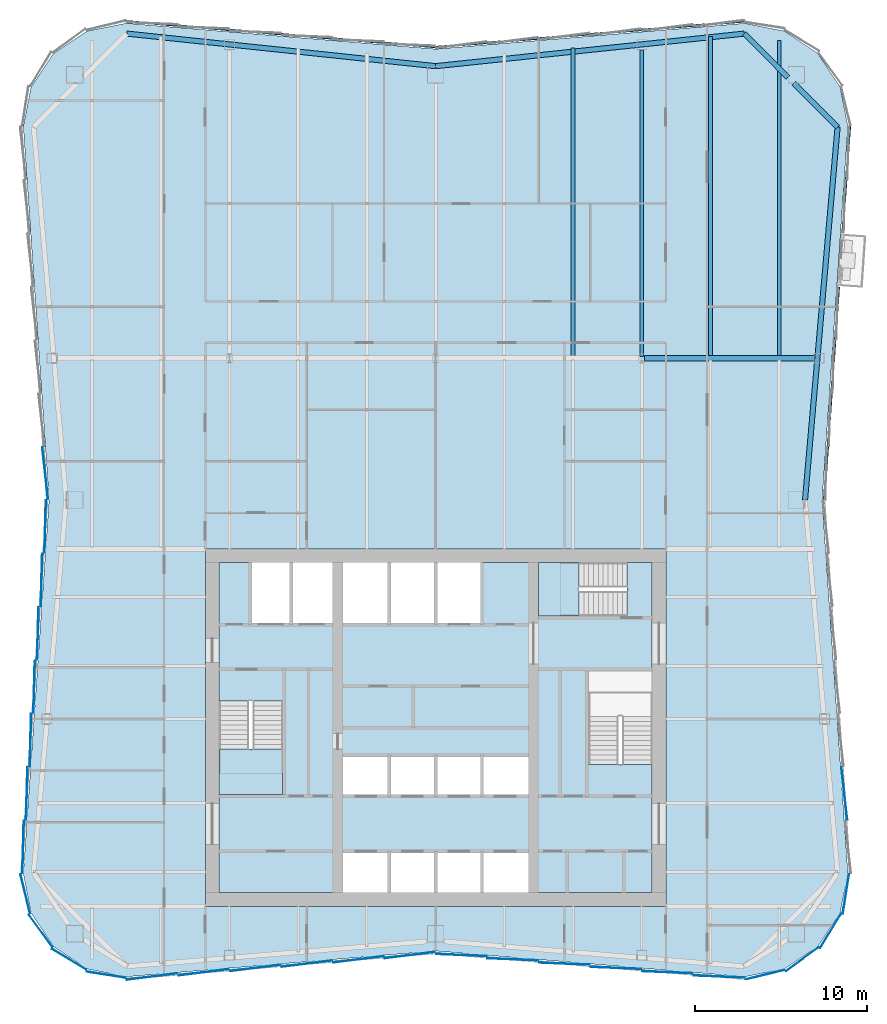
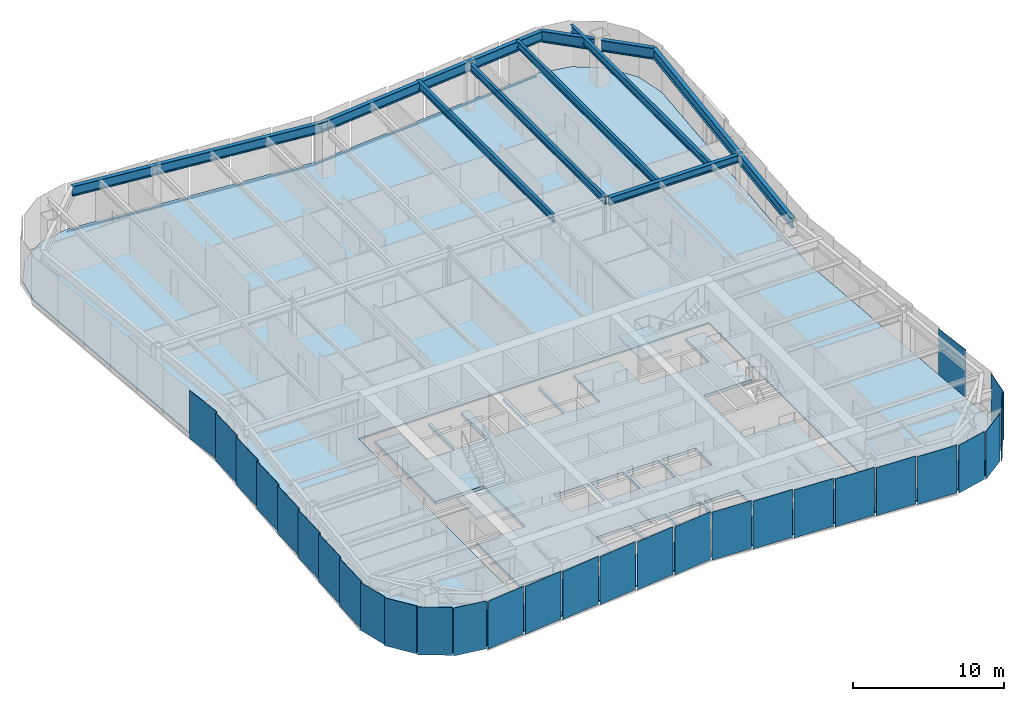
# One storey, part 4 of 11: 29 plates, 10 beams, 4 members, 4 slabs, 8 elements without a shape of their own.
"""IFC4 building model written with IfcOpenShell, lengths in metres."""

from ifc_helpers import new_model, si_unit, direction, frame, origin, origin_2d, place, context, subcontext, project, spatial, polyline, rectangle, i_section, outline, extrude, material, layer, layer_set, material_profile, profile_set, type_object, element, aggregate, save


model = new_model("IFC4")

# Units and contexts
model_context = context("Model", 3, precision=1e-05, world=origin(), true_north=direction((0.0, 1.0)))
body_context = subcontext(model_context, "Body", "Model", "MODEL_VIEW")
ifc_project = project(units=[si_unit("LENGTHUNIT", "METRE"), si_unit("AREAUNIT", "SQUARE_METRE"), si_unit("VOLUMEUNIT", "CUBIC_METRE"), si_unit("PLANEANGLEUNIT", "RADIAN"), si_unit("MASSUNIT", "GRAM", prefix="KILO")], contexts=[model_context])

# Site, building, storey
site_placement = place(None, origin())
site = spatial("IfcSite", under=ifc_project, at=site_placement, CompositionType="ELEMENT")
building_placement = place(site_placement, origin())
building = spatial("IfcBuilding", under=site, at=building_placement, Name="Verdant Reach Tower", CompositionType="ELEMENT")
storey_placement = place(building_placement, frame((0.0, 0.0, 254.0)))
storey = spatial("IfcBuildingStorey", under=building, at=storey_placement, Name="L58", CompositionType="ELEMENT", Elevation=254.0)

# Curtain wall, members
ifc_material_1 = material(Name="Anodised aluminium", Category="aluminium")
curtain_wall_type = type_object("IfcCurtainWallType", Name="EN-CW SYSTEM Z4", PredefinedType="NOTDEFINED", material=ifc_material_1)
curtain_wall_1_placement = place(storey_placement, origin())
curtain_wall_1 = element("IfcCurtainWall", 1, at=curtain_wall_1_placement, inside=storey, type_object=curtain_wall_type, Name="Curtain wall east, L58", PredefinedType="NOTDEFINED")
ifc_material_profile_1 = material_profile(ifc_material_1, rectangle(XDim=0.10009765625, YDim=0.1279296875, at=origin_2d()), Name="Transom 128x100")
ifc_profile_set_1 = profile_set([ifc_material_profile_1], Name="Anodised aluminium")
member_type = type_object("IfcMemberType", Name="EN-TRANSOM Z4", PredefinedType="USERDEFINED", material=ifc_profile_set_1)
member_1_placement = place(storey_placement, frame((22.6142578125, 41.283935546875, -0.285888671875), z_axis=(0.068831188382, 0.997628321323, 0.0), x_axis=(-0.997628321323, 0.068831188382, 0.0)))
member_1 = element("IfcMember", 2, at=member_1_placement, type_object=member_type, Name="Transom east face part 2 1.1, L58", ObjectType="TRANSOM", PredefinedType="USERDEFINED", context=body_context, shape_type="SweptSolid", body=[
    extrude(rectangle(XDim=0.10009765625, YDim=0.1279296875, at=origin_2d()), origin(), (0.0, 0.0, 1.0), 12.38232421875),
])
member_2_placement = place(storey_placement, frame((23.685546875, 56.81201171875, -0.285888671875), z_axis=(0.068628428256, 0.997642290019, 0.0), x_axis=(-0.997642290019, 0.068628428256, 0.0)))
member_2 = element("IfcMember", 3, at=member_2_placement, type_object=member_type, Name="Transom east face part 2 2.1, L58", ObjectType="TRANSOM", PredefinedType="USERDEFINED", context=body_context, shape_type="SweptSolid", body=[
    extrude(rectangle(XDim=0.10009765625, YDim=0.1279296875, at=origin_2d()), origin(), (0.0, 0.0, 1.0), 6.17578125),
])

curtain_wall_2_placement = place(storey_placement, origin())
curtain_wall_2 = element("IfcCurtainWall", 4, at=curtain_wall_2_placement, inside=storey, type_object=curtain_wall_type, Name="Curtain wall north, L58", PredefinedType="NOTDEFINED")
member_3_placement = place(storey_placement, frame((17.972412109375, 69.10888671875, -0.285888671875), z_axis=(-0.996549124771, -0.083005071637, 0.0), x_axis=(0.083005071637, -0.996549124771, 0.0)))
member_3 = element("IfcMember", 5, at=member_3_placement, type_object=member_type, Name="Transom north face part 1 1.1, L58", ObjectType="TRANSOM", PredefinedType="USERDEFINED", context=body_context, shape_type="SweptSolid", body=[
    extrude(rectangle(XDim=0.10009765625, YDim=0.1279296875, at=origin_2d()), origin(), (0.0, 0.0, 1.0), 18.00048828125),
])
member_4_placement = place(storey_placement, frame((-0.033935546875, 67.61474609375, -0.285888671875), z_axis=(-0.996549124771, 0.083005071637, 0.0), x_axis=(-0.083005071637, -0.996549124771, 0.0)))
member_4 = element("IfcMember", 6, at=member_4_placement, type_object=member_type, Name="Transom north face part 2 1.1, L58", ObjectType="TRANSOM", PredefinedType="USERDEFINED", context=body_context, shape_type="SweptSolid", body=[
    extrude(rectangle(XDim=0.10009765625, YDim=0.1279296875, at=origin_2d()), origin(), (0.0, 0.0, 1.0), 18.00048828125),
])
aggregate(curtain_wall_2, [member_3, member_4])

# Beams
ifc_material_2 = material(Name="Steel S355", Category="steel")
ifc_material_profile_2 = material_profile(ifc_material_2, i_section(OverallWidth=0.300048828125, OverallDepth=0.60009765625, WebThickness=0.015380859375, FlangeThickness=0.030029296875, FilletRadius=0.027099609375, at=origin_2d()), Name="HEB 600")
ifc_profile_set_2 = profile_set([ifc_material_profile_2], Name="Steel S355")
beam_type_1 = type_object("IfcBeamType", Name="ST-BEAM-HEB600", PredefinedType="BEAM", material=ifc_profile_set_2)
beam_1_placement = place(storey_placement, frame((12.153076171875, 49.5, 3.570068359375), z_axis=(1.0, 0.0, 0.0), x_axis=(0.0, 1.0, 0.0)))
element("IfcBeam", 7, at=beam_1_placement, inside=storey, type_object=beam_type_1, Name="Row girder, L58", PredefinedType="BEAM", context=body_context, shape_type="SweptSolid", body=[
    extrude(i_section(OverallWidth=0.300048828125, OverallDepth=0.60009765625, WebThickness=0.015380859375, FlangeThickness=0.030029296875, FilletRadius=0.027099609375, at=origin_2d()), origin(), (0.0, 0.0, 1.0), 9.865966796875),
])
ifc_material_profile_3 = material_profile(ifc_material_2, i_section(OverallWidth=0.219970703125, OverallDepth=0.60009765625, WebThickness=0.011962890625, FlangeThickness=0.01904296875, FilletRadius=0.02392578125, at=origin_2d()), Name="IPE 600")
ifc_profile_set_3 = profile_set([ifc_material_profile_3], Name="Steel S355")
beam_type_2 = type_object("IfcBeamType", Name="ST-JOIST-IPE600", PredefinedType="JOIST", material=ifc_profile_set_3)
beam_2_placement = place(storey_placement, frame((8.0, 49.60009765625, 3.570068359375), z_axis=(0.0, 1.0, 0.0), x_axis=(-1.0, 0.0, 0.0)))
element("IfcBeam", 8, at=beam_2_placement, inside=storey, type_object=beam_type_2, Name="Floor joist, L58", PredefinedType="JOIST", context=body_context, shape_type="SweptSolid", body=[
    extrude(i_section(OverallWidth=0.219970703125, OverallDepth=0.60009765625, WebThickness=0.011962890625, FlangeThickness=0.01904296875, FilletRadius=0.02392578125, at=origin_2d()), origin(), (0.0, 0.0, 1.0), 17.964599609375),
])
beam_3_placement = place(storey_placement, frame((12.0, 49.60009765625, 3.570068359375), z_axis=(0.0, 1.0, 0.0), x_axis=(-1.0, 0.0, 0.0)))
element("IfcBeam", 9, at=beam_3_placement, inside=storey, type_object=beam_type_2, Name="Floor joist, L58", PredefinedType="JOIST", context=body_context, shape_type="SweptSolid", body=[
    extrude(i_section(OverallWidth=0.219970703125, OverallDepth=0.60009765625, WebThickness=0.011962890625, FlangeThickness=0.01904296875, FilletRadius=0.02392578125, at=origin_2d()), origin(), (0.0, 0.0, 1.0), 17.849853515625),
])
beam_4_placement = place(storey_placement, frame((16.0, 49.60009765625, 3.570068359375), z_axis=(0.0, 1.0, 0.0), x_axis=(-1.0, 0.0, 0.0)))
element("IfcBeam", 10, at=beam_4_placement, inside=storey, type_object=beam_type_2, Name="Floor joist, L58", PredefinedType="JOIST", context=body_context, shape_type="SweptSolid", body=[
    extrude(i_section(OverallWidth=0.219970703125, OverallDepth=0.60009765625, WebThickness=0.011962890625, FlangeThickness=0.01904296875, FilletRadius=0.02392578125, at=origin_2d()), origin(), (0.0, 0.0, 1.0), 18.631103515625),
])
beam_5_placement = place(storey_placement, frame((20.0, 49.60009765625, 3.570068359375), z_axis=(0.0, 1.0, 0.0), x_axis=(-1.0, 0.0, 0.0)))
element("IfcBeam", 11, at=beam_5_placement, inside=storey, type_object=beam_type_2, Name="Floor joist, L58", PredefinedType="JOIST", context=body_context, shape_type="SweptSolid", body=[
    extrude(i_section(OverallWidth=0.219970703125, OverallDepth=0.60009765625, WebThickness=0.011962890625, FlangeThickness=0.01904296875, FilletRadius=0.02392578125, at=origin_2d()), origin(), (0.0, 0.0, 1.0), 18.390380859375),
])
ifc_material_profile_4 = material_profile(ifc_material_2, i_section(OverallWidth=0.300048828125, OverallDepth=0.800048828125, WebThickness=0.017578125, FlangeThickness=0.032958984375, FilletRadius=0.030029296875, at=origin_2d()), Name="HEB 800")
ifc_profile_set_4 = profile_set([ifc_material_profile_4], Name="Steel S355")
beam_type_3 = type_object("IfcBeamType", Name="ST-SPANDREL-HEB800", PredefinedType="SPANDREL", material=ifc_profile_set_4)
for number, where, z_axis, x_axis, name in (
    (12, (-17.9658203125, 68.39501953125, 3.469970703125), (0.994483067002, -0.104897232783, 0.0), (0.104897232783, 0.994483067002, 0.0), "Edge beam, L58"),
    (13, (0.0, 66.5, 3.469970703125), (0.994483067002, 0.104897232783, 0.0), (-0.104897232783, 0.994483067002, 0.0), "Edge beam, L58"),
):
    element("IfcBeam", number, at=place(storey_placement, frame(where, z_axis=z_axis, x_axis=x_axis)), inside=storey, type_object=beam_type_3, Name=name, PredefinedType="SPANDREL", context=body_context, shape_type="SweptSolid", body=[
        extrude(i_section(OverallWidth=0.300048828125, OverallDepth=0.800048828125, WebThickness=0.017578125, FlangeThickness=0.032958984375, FilletRadius=0.030029296875, at=origin_2d()), origin(), (0.0, 0.0, 1.0), 18.0654296875),
    ])
beam_6_placement = place(storey_placement, frame((23.39599609375, 62.96142578125, 3.469970703125), z_axis=(-0.086996024331, -0.996208658741, 0.0), x_axis=(0.996208658741, -0.086996024331, 0.0)))
element("IfcBeam", 14, at=beam_6_placement, inside=storey, type_object=beam_type_3, Name="Edge beam, L58", PredefinedType="SPANDREL", context=body_context, shape_type="SweptSolid", body=[
    extrude(i_section(OverallWidth=0.300048828125, OverallDepth=0.800048828125, WebThickness=0.017578125, FlangeThickness=0.032958984375, FilletRadius=0.030029296875, at=origin_2d()), origin(), (0.0, 0.0, 1.0), 21.7939453125),
])
ifc_material_profile_5 = material_profile(ifc_material_2, i_section(OverallWidth=0.302001953125, OverallDepth=0.909912109375, WebThickness=0.02099609375, FlangeThickness=0.0400390625, FilletRadius=0.030029296875, at=origin_2d()), Name="HEM 900")
ifc_profile_set_5 = profile_set([ifc_material_profile_5], Name="Steel S355")
beam_type_4 = type_object("IfcBeamType", Name="ST-SPANDREL-HEM900", PredefinedType="SPANDREL", material=ifc_profile_set_5)
beam_7_placement = place(storey_placement, frame((17.9658203125, 68.39501953125, 3.4150390625), z_axis=(0.706868394255, -0.707345087777, 0.0), x_axis=(0.707345087777, 0.706868394255, 0.0)))
element("IfcBeam", 15, at=beam_7_placement, inside=storey, type_object=beam_type_4, Name="Edge beam, L58", PredefinedType="SPANDREL", context=body_context, shape_type="SweptSolid", body=[
    extrude(i_section(OverallWidth=0.302001953125, OverallDepth=0.909912109375, WebThickness=0.02099609375, FlangeThickness=0.0400390625, FilletRadius=0.030029296875, at=origin_2d()), origin(), (0.0, 0.0, 1.0), 3.5849609375),
])
beam_8_placement = place(storey_placement, frame((20.85888671875, 65.5, 3.4150390625), z_axis=(0.706902680526, -0.707310822952, 0.0), x_axis=(0.707310822952, 0.706902680526, 0.0)))
element("IfcBeam", 16, at=beam_8_placement, inside=storey, type_object=beam_type_4, Name="Edge beam, L58", PredefinedType="SPANDREL", context=body_context, shape_type="SweptSolid", body=[
    extrude(i_section(OverallWidth=0.302001953125, OverallDepth=0.909912109375, WebThickness=0.02099609375, FlangeThickness=0.0400390625, FilletRadius=0.030029296875, at=origin_2d()), origin(), (0.0, 0.0, 1.0), 3.589111328125),
])

# Stair, slab
ifc_material_3 = material(Name="Concrete C40/50", Category="concrete")
stair_type = type_object("IfcStairType", Name="CO-STAIR", PredefinedType="HALF_TURN_STAIR", material=ifc_material_3)
stair_1_placement = place(storey_placement, origin())
stair_1 = element("IfcStair", 17, at=stair_1_placement, inside=storey, type_object=stair_type, Name="L58 Exit stair 1", PredefinedType="HALF_TURN_STAIR")
ifc_layer_1 = layer(ifc_material_3, 0.199951171875)
ifc_layer_set_1 = layer_set([ifc_layer_1], Name="CO-STAIR-LANDING")
slab_type_1 = type_object("IfcSlabType", Name="CO-STAIR-LANDING", PredefinedType="LANDING", material=ifc_layer_set_1)
slab_1_placement = place(storey_placement, frame((0.0, 0.0, 1.800048828125)))
slab_1 = element("IfcSlab", 18, at=slab_1_placement, type_object=slab_type_1, Name="ST-1 landing 1", PredefinedType="LANDING", context=body_context, shape_type="SweptSolid", body=[
    extrude(outline(polyline([(-12.60009765625, 26.75), (-12.60009765625, 24.10009765625), (-8.89990234375, 24.10009765625), (-8.89990234375, 26.75), (-12.60009765625, 26.75)])), origin(), (0.0, 0.0, 1.0), 0.199951171875),
])
aggregate(stair_1, [slab_1])

stair_2_placement = place(storey_placement, origin())
stair_2 = element("IfcStair", 19, at=stair_2_placement, inside=storey, type_object=stair_type, Name="L58 Exit stair 3", PredefinedType="HALF_TURN_STAIR")
slab_2_placement = place(storey_placement, frame((0.0, 0.0, 1.800048828125)))
slab_2 = element("IfcSlab", 20, at=slab_2_placement, type_object=slab_type_1, Name="ST-3 landing 1", PredefinedType="LANDING", context=body_context, shape_type="SweptSolid", body=[
    extrude(outline(polyline([(8.35009765625, 37.60009765625), (6.0, 37.60009765625), (6.0, 34.5), (8.35009765625, 34.5), (8.35009765625, 37.60009765625)])), origin(), (0.0, 0.0, 1.0), 0.199951171875),
])
aggregate(stair_2, [slab_2])

# Curtain wall, plate
curtain_wall_3_placement = place(storey_placement, origin())
curtain_wall_3 = element("IfcCurtainWall", 21, at=curtain_wall_3_placement, inside=storey, type_object=curtain_wall_type, Name="Curtain wall south-east corner, L58", PredefinedType="NOTDEFINED")
ifc_material_4 = material(Name="Tinted glass with champagne spandrel", Category="glass")
ifc_layer_2 = layer(ifc_material_4, 0.031982421875)
ifc_layer_set_2 = layer_set([ifc_layer_2], Name="EN-PANEL CHAMPAGNE")
plate_type_1 = type_object("IfcPlateType", Name="EN-PANEL CHAMPAGNE", PredefinedType="CURTAIN_PANEL", material=ifc_layer_set_2)
plate_1_placement = place(storey_placement, frame((23.87939453125, 18.326904296875, -0.221923828125), z_axis=(0.0, 0.0, 1.0), x_axis=(0.154324690427, 0.988020187003, 0.0)))
plate_1 = element("IfcPlate", 22, at=plate_1_placement, type_object=plate_type_1, Name="Glass panel south-east corner 4.1, L58", PredefinedType="CURTAIN_PANEL", context=body_context, shape_type="SweptSolid", body=[
    extrude(rectangle(XDim=2.313720703125, YDim=0.031982421875, at=origin_2d()), origin(), (0.0, 0.0, 1.0), 3.8720703125),
])

# Curtain wall, plates
curtain_wall_4_placement = place(storey_placement, origin())
curtain_wall_4 = element("IfcCurtainWall", 23, at=curtain_wall_4_placement, inside=storey, type_object=curtain_wall_type, Name="Curtain wall west, L58", PredefinedType="NOTDEFINED")
plate_2_placement = place(storey_placement, frame((-22.718994140625, 42.7998046875, -0.221923828125), z_axis=(0.0, 0.0, 1.0), x_axis=(0.110603065042, -0.993864659802, 0.0)))
plate_2 = element("IfcPlate", 24, at=plate_2_placement, type_object=plate_type_1, Name="Glass panel west face part 1 7.1, L58", PredefinedType="CURTAIN_PANEL", context=body_context, shape_type="SweptSolid", body=[
    extrude(rectangle(XDim=3.042724609375, YDim=0.031982421875, at=origin_2d()), origin(), (0.0, 0.0, 1.0), 3.8720703125),
])
plate_3_placement = place(storey_placement, frame((-22.718994140625, 39.7001953125, -0.221923828125), z_axis=(0.0, 0.0, 1.0), x_axis=(-0.027050713229, -0.999634062502, 0.0)))
plate_3 = element("IfcPlate", 25, at=plate_3_placement, type_object=plate_type_1, Name="Glass panel west face part 2 1.1, L58", PredefinedType="CURTAIN_PANEL", context=body_context, shape_type="SweptSolid", body=[
    extrude(rectangle(XDim=3.042724609375, YDim=0.031982421875, at=origin_2d()), origin(), (0.0, 0.0, 1.0), 3.8720703125),
])
plate_4_placement = place(storey_placement, frame((-22.93310546875, 36.596923828125, -0.221923828125), z_axis=(0.0, 0.0, 1.0), x_axis=(-0.026965318308, -0.999636369691, 0.0)))
plate_4 = element("IfcPlate", 26, at=plate_4_placement, type_object=plate_type_1, Name="Glass panel west face part 2 2.1, L58", PredefinedType="CURTAIN_PANEL", context=body_context, shape_type="SweptSolid", body=[
    extrude(rectangle(XDim=3.050537109375, YDim=0.031982421875, at=origin_2d()), origin(), (0.0, 0.0, 1.0), 3.8720703125),
])

# Curtain wall, plate
curtain_wall_5_placement = place(storey_placement, origin())
curtain_wall_5 = element("IfcCurtainWall", 27, at=curtain_wall_5_placement, inside=storey, type_object=curtain_wall_type, Name="Curtain wall south-west corner, L58", PredefinedType="NOTDEFINED")
plate_5_placement = place(storey_placement, frame((-23.87939453125, 18.326904296875, -0.221923828125), z_axis=(0.0, 0.0, 1.0), x_axis=(0.236458850433, -0.971641503875, 0.0)))
plate_5 = element("IfcPlate", 28, at=plate_5_placement, type_object=plate_type_1, Name="Glass panel south-west corner 1.1, L58", PredefinedType="CURTAIN_PANEL", context=body_context, shape_type="SweptSolid", body=[
    extrude(rectangle(XDim=2.313720703125, YDim=0.031982421875, at=origin_2d()), origin(), (0.0, 0.0, 1.0), 3.8720703125),
])

# Curtain wall, plates
curtain_wall_6_placement = place(storey_placement, origin())
curtain_wall_6 = element("IfcCurtainWall", 29, at=curtain_wall_6_placement, inside=storey, type_object=curtain_wall_type, Name="Curtain wall south, L58", PredefinedType="NOTDEFINED")
plate_6_placement = place(storey_placement, frame((-7.49072265625, 14.263427734375, -0.221923828125), z_axis=(0.0, 0.0, 1.0), x_axis=(0.992194034542, 0.124703639961, 0.0)))
plate_6 = element("IfcPlate", 30, at=plate_6_placement, type_object=plate_type_1, Name="Glass panel south face part 1 4.1, L58", PredefinedType="CURTAIN_PANEL", context=body_context, shape_type="SweptSolid", body=[
    extrude(rectangle(XDim=2.9462890625, YDim=0.031982421875, at=origin_2d()), origin(), (0.0, 0.0, 1.0), 3.8720703125),
])
plate_7_placement = place(storey_placement, frame((-4.49072265625, 14.513427734375, -0.221923828125), z_axis=(0.0, 0.0, 1.0), x_axis=(0.992194034542, 0.124703639961, 0.0)))
plate_7 = element("IfcPlate", 31, at=plate_7_placement, type_object=plate_type_1, Name="Glass panel south face part 1 5.1, L58", PredefinedType="CURTAIN_PANEL", context=body_context, shape_type="SweptSolid", body=[
    extrude(rectangle(XDim=2.9462890625, YDim=0.031982421875, at=origin_2d()), origin(), (0.0, 0.0, 1.0), 3.8720703125),
])
plate_8_placement = place(storey_placement, frame((-1.495361328125, 14.76318359375, -0.221923828125), z_axis=(0.0, 0.0, 1.0), x_axis=(0.992177950603, 0.124831543836, 0.0)))
plate_8 = element("IfcPlate", 32, at=plate_8_placement, type_object=plate_type_1, Name="Glass panel south face part 1 6.1, L58", PredefinedType="CURTAIN_PANEL", context=body_context, shape_type="SweptSolid", body=[
    extrude(rectangle(XDim=2.93701171875, YDim=0.031982421875, at=origin_2d()), origin(), (0.0, 0.0, 1.0), 3.8720703125),
])
plate_9_placement = place(storey_placement, frame((16.49853515625, 13.51318359375, -0.221923828125), z_axis=(0.0, 0.0, 1.0), x_axis=(0.999164016711, -0.040881141246, 0.0)))
plate_9 = element("IfcPlate", 33, at=plate_9_placement, type_object=plate_type_1, Name="Glass panel south face part 2 6.1, L58", PredefinedType="CURTAIN_PANEL", context=body_context, shape_type="SweptSolid", body=[
    extrude(rectangle(XDim=2.9619140625, YDim=0.031982421875, at=origin_2d()), origin(), (0.0, 0.0, 1.0), 3.8720703125),
])

# Plate
ifc_material_5 = material(Name="Tinted glass with copper spandrel", Category="glass")
ifc_layer_3 = layer(ifc_material_5, 0.031982421875)
ifc_layer_set_3 = layer_set([ifc_layer_3], Name="EN-PANEL COPPER")
plate_type_2 = type_object("IfcPlateType", Name="EN-PANEL COPPER", PredefinedType="CURTAIN_PANEL", material=ifc_layer_set_3)
plate_10_placement = place(storey_placement, frame((19.172607421875, 13.62060546875, -0.221923828125), z_axis=(0.0, 0.0, 1.0), x_axis=(0.971652337104, 0.236414330786, 0.0)))
plate_10 = element("IfcPlate", 34, at=plate_10_placement, type_object=plate_type_2, Name="Glass panel south-east corner 1.1, L58", PredefinedType="CURTAIN_PANEL", context=body_context, shape_type="SweptSolid", body=[
    extrude(rectangle(XDim=2.314453125, YDim=0.031982421875, at=origin_2d()), origin(), (0.0, 0.0, 1.0), 3.8720703125),
])

plate_11_placement = place(storey_placement, frame((-23.1474609375, 33.48974609375, -0.221923828125), z_axis=(0.0, 0.0, 1.0), x_axis=(-0.026965318308, -0.999636369691, 0.0)))
plate_11 = element("IfcPlate", 35, at=plate_11_placement, type_object=plate_type_2, Name="Glass panel west face part 2 3.1, L58", PredefinedType="CURTAIN_PANEL", context=body_context, shape_type="SweptSolid", body=[
    extrude(rectangle(XDim=3.050537109375, YDim=0.031982421875, at=origin_2d()), origin(), (0.0, 0.0, 1.0), 3.8720703125),
])

plate_12_placement = place(storey_placement, frame((-23.36181640625, 30.3828125, -0.221923828125), z_axis=(0.0, 0.0, 1.0), x_axis=(-0.026965318308, -0.999636369691, 0.0)))
plate_12 = element("IfcPlate", 36, at=plate_12_placement, type_object=plate_type_2, Name="Glass panel west face part 2 4.1, L58", PredefinedType="CURTAIN_PANEL", context=body_context, shape_type="SweptSolid", body=[
    extrude(rectangle(XDim=3.050537109375, YDim=0.031982421875, at=origin_2d()), origin(), (0.0, 0.0, 1.0), 3.8720703125),
])

plate_13_placement = place(storey_placement, frame((-23.575927734375, 27.275634765625, -0.221923828125), z_axis=(0.0, 0.0, 1.0), x_axis=(-0.026965318308, -0.999636369691, 0.0)))
plate_13 = element("IfcPlate", 37, at=plate_13_placement, type_object=plate_type_2, Name="Glass panel west face part 2 5.1, L58", PredefinedType="CURTAIN_PANEL", context=body_context, shape_type="SweptSolid", body=[
    extrude(rectangle(XDim=3.050537109375, YDim=0.031982421875, at=origin_2d()), origin(), (0.0, 0.0, 1.0), 3.8720703125),
])

plate_14_placement = place(storey_placement, frame((-22.984375, 16.169677734375, -0.221923828125), z_axis=(0.0, 0.0, 1.0), x_axis=(0.589926737254, -0.80745677573, 0.0)))
plate_14 = element("IfcPlate", 38, at=plate_14_placement, type_object=plate_type_2, Name="Glass panel south-west corner 2.1, L58", PredefinedType="CURTAIN_PANEL", context=body_context, shape_type="SweptSolid", body=[
    extrude(rectangle(XDim=2.32080078125, YDim=0.031982421875, at=origin_2d()), origin(), (0.0, 0.0, 1.0), 3.8720703125),
])

plate_15_placement = place(storey_placement, frame((-21.330322265625, 14.515625, -0.221923828125), z_axis=(0.0, 0.0, 1.0), x_axis=(0.853988708265, -0.520291539577, 0.0)))
plate_15 = element("IfcPlate", 39, at=plate_15_placement, type_object=plate_type_2, Name="Glass panel south-west corner 3.1, L58", PredefinedType="CURTAIN_PANEL", context=body_context, shape_type="SweptSolid", body=[
    extrude(rectangle(XDim=2.32080078125, YDim=0.031982421875, at=origin_2d()), origin(), (0.0, 0.0, 1.0), 3.8720703125),
])

plate_16_placement = place(storey_placement, frame((-16.49853515625, 13.51318359375, -0.221923828125), z_axis=(0.0, 0.0, 1.0), x_axis=(0.992238962139, 0.124345655383, 0.0)))
plate_16 = element("IfcPlate", 40, at=plate_16_placement, type_object=plate_type_2, Name="Glass panel south face part 1 1.1, L58", PredefinedType="CURTAIN_PANEL", context=body_context, shape_type="SweptSolid", body=[
    extrude(rectangle(XDim=2.9619140625, YDim=0.031982421875, at=origin_2d()), origin(), (0.0, 0.0, 1.0), 3.8720703125),
])

plate_17_placement = place(storey_placement, frame((1.495361328125, 14.76318359375, -0.221923828125), z_axis=(0.0, 0.0, 1.0), x_axis=(0.999143877249, -0.041370430933, 0.0)))
plate_17 = element("IfcPlate", 41, at=plate_17_placement, type_object=plate_type_2, Name="Glass panel south face part 2 1.1, L58", PredefinedType="CURTAIN_PANEL", context=body_context, shape_type="SweptSolid", body=[
    extrude(rectangle(XDim=2.93701171875, YDim=0.031982421875, at=origin_2d()), origin(), (0.0, 0.0, 1.0), 3.8720703125),
])

plate_18_placement = place(storey_placement, frame((4.49072265625, 14.513427734375, -0.221923828125), z_axis=(0.0, 0.0, 1.0), x_axis=(0.999149202059, -0.041241629766, 0.0)))
plate_18 = element("IfcPlate", 42, at=plate_18_placement, type_object=plate_type_2, Name="Glass panel south face part 2 2.1, L58", PredefinedType="CURTAIN_PANEL", context=body_context, shape_type="SweptSolid", body=[
    extrude(rectangle(XDim=2.9462890625, YDim=0.031982421875, at=origin_2d()), origin(), (0.0, 0.0, 1.0), 3.8720703125),
])

ifc_material_6 = material(Name="Tinted glass with dark bronze spandrel", Category="glass")
ifc_layer_4 = layer(ifc_material_6, 0.031982421875)
ifc_layer_set_4 = layer_set([ifc_layer_4], Name="EN-PANEL DARK")
plate_type_3 = type_object("IfcPlateType", Name="EN-PANEL DARK", PredefinedType="CURTAIN_PANEL", material=ifc_layer_set_4)
plate_19_placement = place(storey_placement, frame((21.330322265625, 14.515625, -0.221923828125), z_axis=(0.0, 0.0, 1.0), x_axis=(0.80745677573, 0.589926737254, 0.0)))
plate_19 = element("IfcPlate", 43, at=plate_19_placement, type_object=plate_type_3, Name="Glass panel south-east corner 2.1, L58", PredefinedType="CURTAIN_PANEL", context=body_context, shape_type="SweptSolid", body=[
    extrude(rectangle(XDim=2.32080078125, YDim=0.031982421875, at=origin_2d()), origin(), (0.0, 0.0, 1.0), 3.8720703125),
])

plate_20_placement = place(storey_placement, frame((22.984375, 16.169677734375, -0.221923828125), z_axis=(0.0, 0.0, 1.0), x_axis=(0.520291539577, 0.853988708265, 0.0)))
plate_20 = element("IfcPlate", 44, at=plate_20_placement, type_object=plate_type_3, Name="Glass panel south-east corner 3.1, L58", PredefinedType="CURTAIN_PANEL", context=body_context, shape_type="SweptSolid", body=[
    extrude(rectangle(XDim=2.32080078125, YDim=0.031982421875, at=origin_2d()), origin(), (0.0, 0.0, 1.0), 3.8720703125),
])

aggregate(curtain_wall_3, [plate_10, plate_19, plate_20, plate_1])

plate_21_placement = place(storey_placement, frame((23.790283203125, 24.16845703125, -0.221923828125), z_axis=(0.0, 0.0, 1.0), x_axis=(-0.110518162674, 0.993874104562, 0.0)))
plate_21 = element("IfcPlate", 45, at=plate_21_placement, type_object=plate_type_3, Name="Glass panel east face part 1 2.1, L58", PredefinedType="CURTAIN_PANEL", context=body_context, shape_type="SweptSolid", body=[
    extrude(rectangle(XDim=3.050537109375, YDim=0.031982421875, at=origin_2d()), origin(), (0.0, 0.0, 1.0), 3.8720703125),
])

aggregate(curtain_wall_1, [plate_21, member_1, member_2])

plate_22_placement = place(storey_placement, frame((-23.790283203125, 24.16845703125, -0.221923828125), z_axis=(0.0, 0.0, 1.0), x_axis=(-0.026965318308, -0.999636369691, 0.0)))
plate_22 = element("IfcPlate", 46, at=plate_22_placement, type_object=plate_type_3, Name="Glass panel west face part 2 6.1, L58", PredefinedType="CURTAIN_PANEL", context=body_context, shape_type="SweptSolid", body=[
    extrude(rectangle(XDim=3.050537109375, YDim=0.031982421875, at=origin_2d()), origin(), (0.0, 0.0, 1.0), 3.8720703125),
])

plate_23_placement = place(storey_placement, frame((-24.004638671875, 21.053955078125, -0.221923828125), z_axis=(0.0, 0.0, 1.0), x_axis=(-0.026651253217, -0.999644792265, 0.0)))
plate_23 = element("IfcPlate", 47, at=plate_23_placement, type_object=plate_type_3, Name="Glass panel west face part 2 7.1, L58", PredefinedType="CURTAIN_PANEL", context=body_context, shape_type="SweptSolid", body=[
    extrude(rectangle(XDim=3.0654296875, YDim=0.031982421875, at=origin_2d()), origin(), (0.0, 0.0, 1.0), 3.8720703125),
])

aggregate(curtain_wall_4, [plate_2, plate_3, plate_4, plate_11, plate_12, plate_13, plate_22, plate_23])

plate_24_placement = place(storey_placement, frame((-19.172607421875, 13.62060546875, -0.221923828125), z_axis=(0.0, 0.0, 1.0), x_axis=(0.98802725693, -0.154279420415, 0.0)))
plate_24 = element("IfcPlate", 48, at=plate_24_placement, type_object=plate_type_3, Name="Glass panel south-west corner 4.1, L58", PredefinedType="CURTAIN_PANEL", context=body_context, shape_type="SweptSolid", body=[
    extrude(rectangle(XDim=2.314453125, YDim=0.031982421875, at=origin_2d()), origin(), (0.0, 0.0, 1.0), 3.8720703125),
])

aggregate(curtain_wall_5, [plate_5, plate_14, plate_15, plate_24])

plate_25_placement = place(storey_placement, frame((-13.49072265625, 13.763427734375, -0.221923828125), z_axis=(0.0, 0.0, 1.0), x_axis=(0.992194034542, 0.124703639961, 0.0)))
plate_25 = element("IfcPlate", 49, at=plate_25_placement, type_object=plate_type_3, Name="Glass panel south face part 1 2.1, L58", PredefinedType="CURTAIN_PANEL", context=body_context, shape_type="SweptSolid", body=[
    extrude(rectangle(XDim=2.9462890625, YDim=0.031982421875, at=origin_2d()), origin(), (0.0, 0.0, 1.0), 3.8720703125),
])

plate_26_placement = place(storey_placement, frame((-10.49072265625, 14.013427734375, -0.221923828125), z_axis=(0.0, 0.0, 1.0), x_axis=(0.992194034542, 0.124703639961, 0.0)))
plate_26 = element("IfcPlate", 50, at=plate_26_placement, type_object=plate_type_3, Name="Glass panel south face part 1 3.1, L58", PredefinedType="CURTAIN_PANEL", context=body_context, shape_type="SweptSolid", body=[
    extrude(rectangle(XDim=2.9462890625, YDim=0.031982421875, at=origin_2d()), origin(), (0.0, 0.0, 1.0), 3.8720703125),
])

plate_27_placement = place(storey_placement, frame((7.49072265625, 14.263427734375, -0.221923828125), z_axis=(0.0, 0.0, 1.0), x_axis=(0.999149202059, -0.041241629766, 0.0)))
plate_27 = element("IfcPlate", 51, at=plate_27_placement, type_object=plate_type_3, Name="Glass panel south face part 2 3.1, L58", PredefinedType="CURTAIN_PANEL", context=body_context, shape_type="SweptSolid", body=[
    extrude(rectangle(XDim=2.9462890625, YDim=0.031982421875, at=origin_2d()), origin(), (0.0, 0.0, 1.0), 3.8720703125),
])

plate_28_placement = place(storey_placement, frame((10.49072265625, 14.013427734375, -0.221923828125), z_axis=(0.0, 0.0, 1.0), x_axis=(0.999149202059, -0.041241629766, 0.0)))
plate_28 = element("IfcPlate", 52, at=plate_28_placement, type_object=plate_type_3, Name="Glass panel south face part 2 4.1, L58", PredefinedType="CURTAIN_PANEL", context=body_context, shape_type="SweptSolid", body=[
    extrude(rectangle(XDim=2.9462890625, YDim=0.031982421875, at=origin_2d()), origin(), (0.0, 0.0, 1.0), 3.8720703125),
])

plate_29_placement = place(storey_placement, frame((13.49072265625, 13.763427734375, -0.221923828125), z_axis=(0.0, 0.0, 1.0), x_axis=(0.999149202059, -0.041241629766, 0.0)))
plate_29 = element("IfcPlate", 53, at=plate_29_placement, type_object=plate_type_3, Name="Glass panel south face part 2 5.1, L58", PredefinedType="CURTAIN_PANEL", context=body_context, shape_type="SweptSolid", body=[
    extrude(rectangle(XDim=2.9462890625, YDim=0.031982421875, at=origin_2d()), origin(), (0.0, 0.0, 1.0), 3.8720703125),
])

aggregate(curtain_wall_6, [plate_16, plate_25, plate_26, plate_6, plate_7, plate_8, plate_17, plate_18, plate_27, plate_28, plate_29, plate_9])

# Slabs
ifc_material_7 = material(Name="Concrete C35/45", Category="concrete")
ifc_layer_5 = layer(ifc_material_7, 0.1298828125)
ifc_layer_set_5 = layer_set([ifc_layer_5], Name="ST-SLAB-130")
slab_type_2 = type_object("IfcSlabType", Name="ST-SLAB-130", PredefinedType="FLOOR", material=ifc_layer_set_5)
slab_3_placement = place(storey_placement, frame((0.0, 0.0, -0.1298828125)))
element("IfcSlab", 54, at=slab_3_placement, inside=storey, type_object=slab_type_2, Name="Floor slab L58", PredefinedType="FLOOR", context=body_context, shape_type="SweptSolid", body=[
    extrude(outline(polyline([(0.0, 15.0), (-18.0, 13.5), (-20.296142578125, 13.956787109375), (-22.24267578125, 15.25732421875), (-23.543212890625, 17.203857421875), (-24.0, 19.5), (-22.5, 41.25), (-24.0, 63.0), (-23.543212890625, 65.296142578125), (-22.24267578125, 67.24267578125), (-20.296142578125, 68.543212890625), (-18.0, 69.0), (0.0, 67.5), (18.0, 69.0), (20.296142578125, 68.543212890625), (22.24267578125, 67.24267578125), (23.543212890625, 65.296142578125), (24.0, 63.0), (22.5, 41.25), (24.0, 19.5), (23.543212890625, 17.203857421875), (22.24267578125, 15.25732421875), (20.296142578125, 13.956787109375), (18.0, 13.5), (0.0, 15.0)]), holes=[polyline([(13.39990234375, 38.39990234375), (-13.39990234375, 38.39990234375), (-13.39990234375, 17.60009765625), (13.39990234375, 17.60009765625), (13.39990234375, 38.39990234375)])]), origin(), (0.0, 0.0, 1.0), 0.1298828125),
])
ifc_layer_6 = layer(ifc_material_7, 0.25)
ifc_layer_set_6 = layer_set([ifc_layer_6], Name="ST-SLAB-250")
slab_type_3 = type_object("IfcSlabType", Name="ST-SLAB-250", PredefinedType="FLOOR", material=ifc_layer_set_6)
slab_4_placement = place(storey_placement, frame((0.0, 0.0, -0.25)))
element("IfcSlab", 55, at=slab_4_placement, inside=storey, type_object=slab_type_3, Name="Core floor slab L58", PredefinedType="FLOOR", context=body_context, shape_type="SweptSolid", body=[
    extrude(outline(polyline([(12.60009765625, 18.39990234375), (5.39990234375, 18.39990234375), (5.39990234375, 20.699951171875), (2.800048828125, 20.699951171875), (2.800048828125, 18.39990234375), (2.60009765625, 18.39990234375), (2.60009765625, 20.699951171875), (0.10009765625, 20.699951171875), (0.10009765625, 18.39990234375), (-0.10009765625, 18.39990234375), (-0.10009765625, 20.699951171875), (-2.60009765625, 20.699951171875), (-2.60009765625, 18.39990234375), (-2.800048828125, 18.39990234375), (-2.800048828125, 20.699951171875), (-5.39990234375, 20.699951171875), (-5.39990234375, 18.39990234375), (-12.60009765625, 18.39990234375), (-12.60009765625, 24.10009765625), (-8.89990234375, 24.10009765625), (-8.89990234375, 29.548095703125), (-12.60009765625, 29.548095703125), (-12.60009765625, 37.60009765625), (-10.699951171875, 37.60009765625), (-10.699951171875, 34.10009765625), (-8.5, 34.10009765625), (-8.5, 37.60009765625), (-8.300048828125, 37.60009765625), (-8.300048828125, 34.10009765625), (-6.0, 34.10009765625), (-6.0, 37.60009765625), (-5.39990234375, 37.60009765625), (-5.39990234375, 34.10009765625), (-2.800048828125, 34.10009765625), (-2.800048828125, 37.60009765625), (-2.60009765625, 37.60009765625), (-2.60009765625, 34.10009765625), (-0.10009765625, 34.10009765625), (-0.10009765625, 37.60009765625), (0.10009765625, 37.60009765625), (0.10009765625, 34.10009765625), (2.60009765625, 34.10009765625), (2.60009765625, 37.60009765625), (6.0, 37.60009765625), (6.0, 34.5), (11.14794921875, 34.5), (11.14794921875, 37.60009765625), (12.60009765625, 37.60009765625), (12.60009765625, 31.300048828125), (8.89990234375, 31.300048828125), (8.89990234375, 25.85205078125), (12.60009765625, 25.85205078125), (12.60009765625, 18.39990234375)]), holes=[polyline([(-2.800048828125, 24.10009765625), (-2.800048828125, 26.300048828125), (-5.39990234375, 26.300048828125), (-5.39990234375, 24.10009765625), (-2.800048828125, 24.10009765625)]), polyline([(-0.10009765625, 24.10009765625), (-0.10009765625, 26.300048828125), (-2.60009765625, 26.300048828125), (-2.60009765625, 24.10009765625), (-0.10009765625, 24.10009765625)]), polyline([(2.60009765625, 24.10009765625), (2.60009765625, 26.300048828125), (0.10009765625, 26.300048828125), (0.10009765625, 24.10009765625), (2.60009765625, 24.10009765625)]), polyline([(5.39990234375, 24.10009765625), (5.39990234375, 26.300048828125), (2.800048828125, 26.300048828125), (2.800048828125, 24.10009765625), (5.39990234375, 24.10009765625)])]), origin(), (0.0, 0.0, 1.0), 0.25),
])

save(model, "model.ifc")
